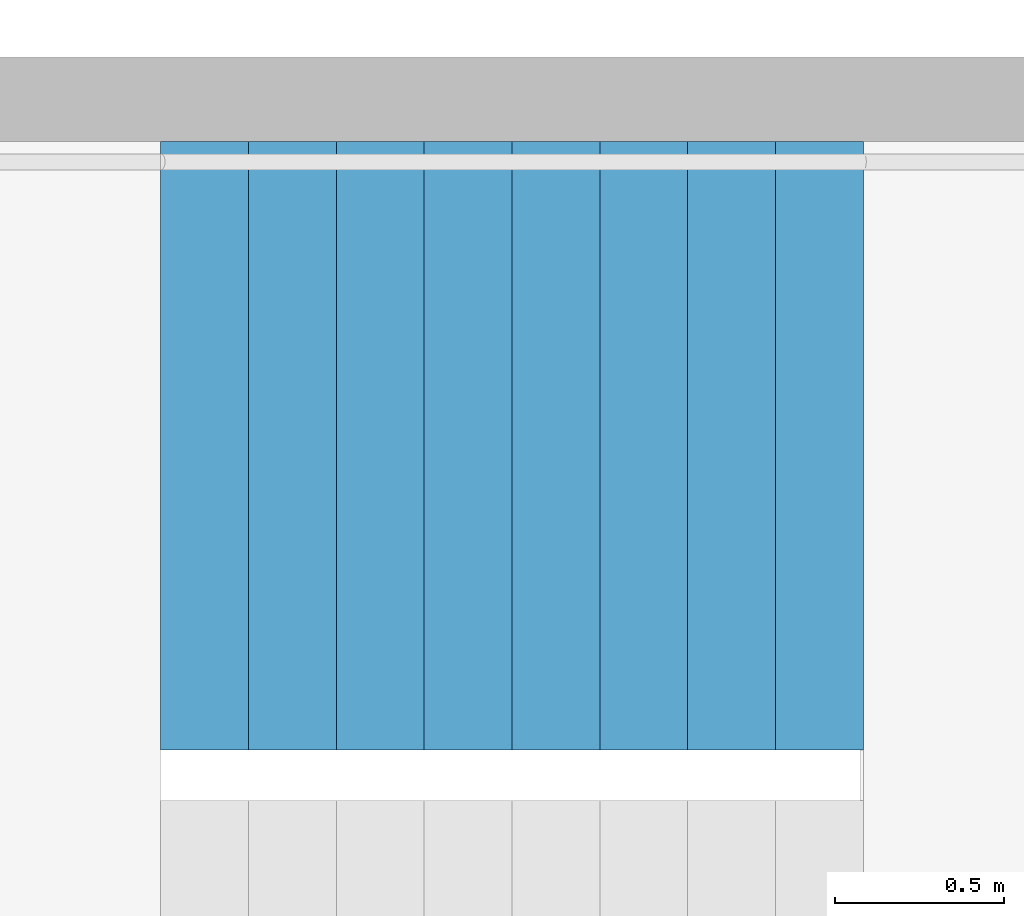
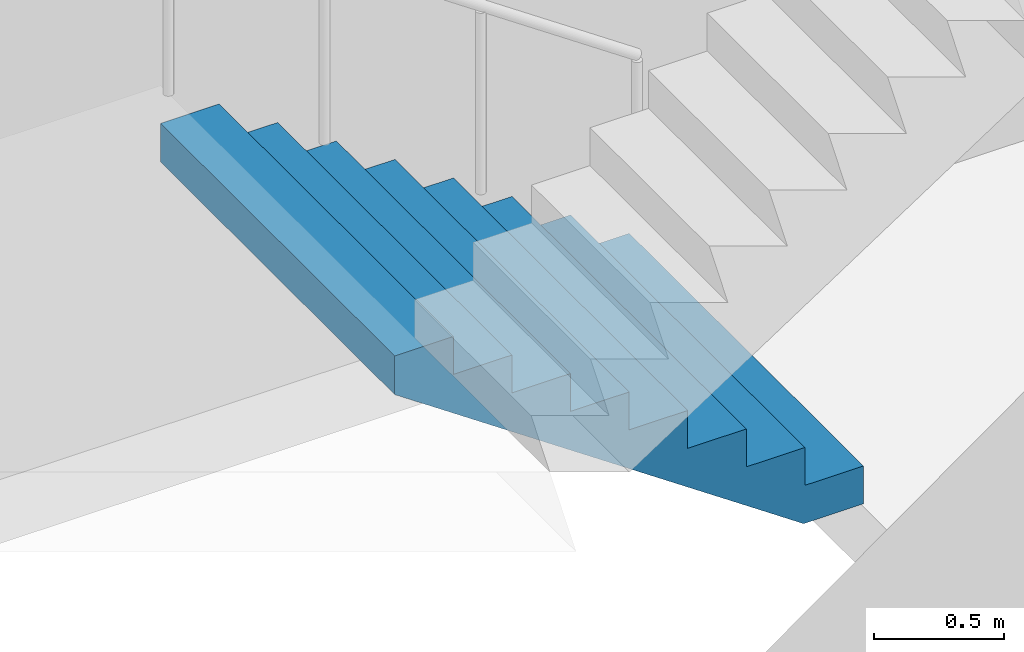
# One storey, part 19 of 43: 1 stair flight, 1 element without a shape of its own.
"""IFC4 building model written with IfcOpenShell, lengths in metres."""

from ifc_helpers import new_model, si_unit, direction, frame, origin, place, context, subcontext, project, spatial, triangles, material, type_object, element, aggregate, save


model = new_model("IFC4")

# Units and contexts
model_context = context("Model", 3, precision=1e-05, world=origin(), true_north=direction((0.0, 1.0)))
body_context = subcontext(model_context, "Body", "Model", "MODEL_VIEW")
ifc_project = project(units=[si_unit("LENGTHUNIT", "METRE"), si_unit("AREAUNIT", "SQUARE_METRE"), si_unit("VOLUMEUNIT", "CUBIC_METRE"), si_unit("PLANEANGLEUNIT", "RADIAN"), si_unit("MASSUNIT", "GRAM", prefix="KILO")], contexts=[model_context])

# Site, building, storey
site_placement = place(None, origin())
site = spatial("IfcSite", under=ifc_project, at=site_placement, CompositionType="ELEMENT")
building_placement = place(site_placement, origin())
building = spatial("IfcBuilding", under=site, at=building_placement, Name="Hakoniwa Tower and Hamabe Station Hall", CompositionType="ELEMENT")
storey_placement = place(building_placement, frame((0.0, 0.0, 124.60009765625)))
storey = spatial("IfcBuildingStorey", under=building, at=storey_placement, Name="L35", CompositionType="ELEMENT", Elevation=124.60009765625)

# Stair, stair flight
ifc_material_1 = material(Name="Concrete C40", Category="concrete")
stair_type = type_object("IfcStairType", Name="ESCAPE STAIR 1800", PredefinedType="HALF_TURN_STAIR", material=ifc_material_1)
stair_placement = place(storey_placement, origin())
stair = element("IfcStair", 1, at=stair_placement, inside=storey, type_object=stair_type, Name="Escape stair ST-2 L35", PredefinedType="HALF_TURN_STAIR")
ifc_material_2 = material(Name="Concrete C40", Category="concrete")
stair_flight_type = type_object("IfcStairFlightType", Name="STAIR FLIGHT 1800", PredefinedType="STRAIGHT", material=ifc_material_2)
stair_flight_placement = place(storey_placement, frame((-23.39990234375, -4.64990234375, 0.0), z_axis=(0.0, 0.0, 1.0), x_axis=(-1.0, 0.0, 0.0)))
stair_flight = element("IfcStairFlight", 2, at=stair_flight_placement, type_object=stair_flight_type, Name="ST-2 flight 1", NumberOfRisers=9, NumberOfTreads=8, PredefinedType="STRAIGHT", RiserHeight=0.177777778, TreadLength=0.26, context=body_context, shape_type="Tessellation", body=[
    triangles([(0.0, 0.89990234375, 0.0), (0.260009765625, 0.89990234375, 0.0), (0.265625, 0.89990234375, 0.0), (0.52001953125, 0.89990234375, 0.174072265625), (0.780029296875, 0.89990234375, 0.351806640625), (1.0400390625, 0.89990234375, 0.529541015625), (1.300048828125, 0.89990234375, 0.707275390625), (1.56005859375, 0.89990234375, 0.885009765625), (1.820068359375, 0.89990234375, 1.062744140625), (2.080078125, 0.89990234375, 1.24072265625), (2.080078125, 0.89990234375, 1.422119140625), (1.820068359375, 0.89990234375, 1.422119140625), (1.820068359375, 0.89990234375, 1.244384765625), (1.56005859375, 0.89990234375, 1.244384765625), (1.56005859375, 0.89990234375, 1.066650390625), (1.300048828125, 0.89990234375, 1.066650390625), (1.300048828125, 0.89990234375, 0.888916015625), (1.0400390625, 0.89990234375, 0.888916015625), (1.0400390625, 0.89990234375, 0.711181640625), (0.780029296875, 0.89990234375, 0.711181640625), (0.780029296875, 0.89990234375, 0.533447265625), (0.52001953125, 0.89990234375, 0.533447265625), (0.52001953125, 0.89990234375, 0.35546875), (0.265625, 0.89990234375, 0.35546875), (0.260009765625, 0.89990234375, 0.35546875), (0.260009765625, 0.89990234375, 0.177734375), (0.0, 0.89990234375, 0.177734375), (0.0, 0.06005859375, 0.0), (0.260009765625, 0.06005859375, 0.0), (0.265625, 0.06005859375, 0.0), (0.52001953125, 0.06005859375, 0.174072265625), (0.780029296875, 0.06005859375, 0.351806640625), (1.0400390625, 0.06005859375, 0.529541015625), (1.300048828125, 0.06005859375, 0.707275390625), (1.56005859375, 0.06005859375, 0.885009765625), (1.820068359375, 0.06005859375, 1.062744140625), (2.080078125, 0.06005859375, 1.24072265625), (2.080078125, 0.06005859375, 1.422119140625), (1.820068359375, 0.06005859375, 1.422119140625), (1.820068359375, 0.06005859375, 1.244384765625), (1.56005859375, 0.06005859375, 1.244384765625), (1.56005859375, 0.06005859375, 1.066650390625), (1.300048828125, 0.06005859375, 1.066650390625), (1.300048828125, 0.06005859375, 0.888916015625), (1.0400390625, 0.06005859375, 0.888916015625), (1.0400390625, 0.06005859375, 0.711181640625), (0.780029296875, 0.06005859375, 0.711181640625), (0.780029296875, 0.06005859375, 0.533447265625), (0.52001953125, 0.06005859375, 0.533447265625), (0.52001953125, 0.06005859375, 0.35546875), (0.265625, 0.06005859375, 0.35546875), (0.260009765625, 0.06005859375, 0.35546875), (0.260009765625, 0.06005859375, 0.177734375), (0.0, 0.06005859375, 0.177734375), (0.0, 0.04296875, 0.0), (0.260009765625, 0.04296875, 0.0), (0.265625, 0.04296875, 0.0), (0.52001953125, 0.04296875, 0.174072265625), (0.780029296875, 0.04296875, 0.351806640625), (1.0400390625, 0.04296875, 0.529541015625), (1.300048828125, 0.04296875, 0.707275390625), (1.56005859375, 0.04296875, 0.885009765625), (1.820068359375, 0.04296875, 1.062744140625), (2.080078125, 0.04296875, 1.24072265625), (2.080078125, 0.04296875, 1.422119140625), (1.820068359375, 0.04296875, 1.422119140625), (1.820068359375, 0.04296875, 1.244384765625), (1.56005859375, 0.04296875, 1.244384765625), (1.56005859375, 0.04296875, 1.066650390625), (1.300048828125, 0.04296875, 1.066650390625), (1.300048828125, 0.04296875, 0.888916015625), (1.0400390625, 0.04296875, 0.888916015625), (1.0400390625, 0.04296875, 0.711181640625), (0.780029296875, 0.04296875, 0.711181640625), (0.780029296875, 0.04296875, 0.533447265625), (0.52001953125, 0.04296875, 0.533447265625), (0.52001953125, 0.04296875, 0.35546875), (0.265625, 0.04296875, 0.35546875), (0.260009765625, 0.04296875, 0.35546875), (0.260009765625, 0.04296875, 0.177734375), (0.0, 0.04296875, 0.177734375), (0.0, 0.025634765625, 0.0), (0.260009765625, 0.025634765625, 0.0), (0.265625, 0.025634765625, 0.0), (0.52001953125, 0.025634765625, 0.174072265625), (0.780029296875, 0.025634765625, 0.351806640625), (1.0400390625, 0.025634765625, 0.529541015625), (1.300048828125, 0.025634765625, 0.707275390625), (1.56005859375, 0.025634765625, 0.885009765625), (1.820068359375, 0.025634765625, 1.062744140625), (2.080078125, 0.025634765625, 1.24072265625), (2.080078125, 0.025634765625, 1.422119140625), (1.820068359375, 0.025634765625, 1.422119140625), (1.820068359375, 0.025634765625, 1.244384765625), (1.56005859375, 0.025634765625, 1.244384765625), (1.56005859375, 0.025634765625, 1.066650390625), (1.300048828125, 0.025634765625, 1.066650390625), (1.300048828125, 0.025634765625, 0.888916015625), (1.0400390625, 0.025634765625, 0.888916015625), (1.0400390625, 0.025634765625, 0.711181640625), (0.780029296875, 0.025634765625, 0.711181640625), (0.780029296875, 0.025634765625, 0.533447265625), (0.52001953125, 0.025634765625, 0.533447265625), (0.52001953125, 0.025634765625, 0.35546875), (0.265625, 0.025634765625, 0.35546875), (0.260009765625, 0.025634765625, 0.35546875), (0.260009765625, 0.025634765625, 0.177734375), (0.0, 0.025634765625, 0.177734375), (0.0, 0.008544921875, 0.0), (0.260009765625, 0.008544921875, 0.0), (0.265625, 0.008544921875, 0.0), (0.52001953125, 0.008544921875, 0.174072265625), (0.780029296875, 0.008544921875, 0.351806640625), (1.0400390625, 0.008544921875, 0.529541015625), (1.300048828125, 0.008544921875, 0.707275390625), (1.56005859375, 0.008544921875, 0.885009765625), (1.820068359375, 0.008544921875, 1.062744140625), (2.080078125, 0.008544921875, 1.24072265625), (2.080078125, 0.008544921875, 1.422119140625), (1.820068359375, 0.008544921875, 1.422119140625), (1.820068359375, 0.008544921875, 1.244384765625), (1.56005859375, 0.008544921875, 1.244384765625), (1.56005859375, 0.008544921875, 1.066650390625), (1.300048828125, 0.008544921875, 1.066650390625), (1.300048828125, 0.008544921875, 0.888916015625), (1.0400390625, 0.008544921875, 0.888916015625), (1.0400390625, 0.008544921875, 0.711181640625), (0.780029296875, 0.008544921875, 0.711181640625), (0.780029296875, 0.008544921875, 0.533447265625), (0.52001953125, 0.008544921875, 0.533447265625), (0.52001953125, 0.008544921875, 0.35546875), (0.265625, 0.008544921875, 0.35546875), (0.260009765625, 0.008544921875, 0.35546875), (0.260009765625, 0.008544921875, 0.177734375), (0.0, 0.008544921875, 0.177734375), (0.0, -0.008544921875, 0.0), (0.260009765625, -0.008544921875, 0.0), (0.265625, -0.008544921875, 0.0), (0.52001953125, -0.008544921875, 0.174072265625), (0.780029296875, -0.008544921875, 0.351806640625), (1.0400390625, -0.008544921875, 0.529541015625), (1.300048828125, -0.008544921875, 0.707275390625), (1.56005859375, -0.008544921875, 0.885009765625), (1.820068359375, -0.008544921875, 1.062744140625), (2.080078125, -0.008544921875, 1.24072265625), (2.080078125, -0.008544921875, 1.422119140625), (1.820068359375, -0.008544921875, 1.422119140625), (1.820068359375, -0.008544921875, 1.244384765625), (1.56005859375, -0.008544921875, 1.244384765625), (1.56005859375, -0.008544921875, 1.066650390625), (1.300048828125, -0.008544921875, 1.066650390625), (1.300048828125, -0.008544921875, 0.888916015625), (1.0400390625, -0.008544921875, 0.888916015625), (1.0400390625, -0.008544921875, 0.711181640625), (0.780029296875, -0.008544921875, 0.711181640625), (0.780029296875, -0.008544921875, 0.533447265625), (0.52001953125, -0.008544921875, 0.533447265625), (0.52001953125, -0.008544921875, 0.35546875), (0.265625, -0.008544921875, 0.35546875), (0.260009765625, -0.008544921875, 0.35546875), (0.260009765625, -0.008544921875, 0.177734375), (0.0, -0.008544921875, 0.177734375), (0.0, -0.025634765625, 0.0), (0.260009765625, -0.025634765625, 0.0), (0.265625, -0.025634765625, 0.0), (0.52001953125, -0.025634765625, 0.174072265625), (0.780029296875, -0.025634765625, 0.351806640625), (1.0400390625, -0.025634765625, 0.529541015625), (1.300048828125, -0.025634765625, 0.707275390625), (1.56005859375, -0.025634765625, 0.885009765625), (1.820068359375, -0.025634765625, 1.062744140625), (2.080078125, -0.025634765625, 1.24072265625), (2.080078125, -0.025634765625, 1.422119140625), (1.820068359375, -0.025634765625, 1.422119140625), (1.820068359375, -0.025634765625, 1.244384765625), (1.56005859375, -0.025634765625, 1.244384765625), (1.56005859375, -0.025634765625, 1.066650390625), (1.300048828125, -0.025634765625, 1.066650390625), (1.300048828125, -0.025634765625, 0.888916015625), (1.0400390625, -0.025634765625, 0.888916015625), (1.0400390625, -0.025634765625, 0.711181640625), (0.780029296875, -0.025634765625, 0.711181640625), (0.780029296875, -0.025634765625, 0.533447265625), (0.52001953125, -0.025634765625, 0.533447265625), (0.52001953125, -0.025634765625, 0.35546875), (0.265625, -0.025634765625, 0.35546875), (0.260009765625, -0.025634765625, 0.35546875), (0.260009765625, -0.025634765625, 0.177734375), (0.0, -0.025634765625, 0.177734375), (0.0, -0.04296875, 0.0), (0.260009765625, -0.04296875, 0.0), (0.265625, -0.04296875, 0.0), (0.52001953125, -0.04296875, 0.174072265625), (0.780029296875, -0.04296875, 0.351806640625), (1.0400390625, -0.04296875, 0.529541015625), (1.300048828125, -0.04296875, 0.707275390625), (1.56005859375, -0.04296875, 0.885009765625), (1.820068359375, -0.04296875, 1.062744140625), (2.080078125, -0.04296875, 1.24072265625), (2.080078125, -0.04296875, 1.422119140625), (1.820068359375, -0.04296875, 1.422119140625), (1.820068359375, -0.04296875, 1.244384765625), (1.56005859375, -0.04296875, 1.244384765625), (1.56005859375, -0.04296875, 1.066650390625), (1.300048828125, -0.04296875, 1.066650390625), (1.300048828125, -0.04296875, 0.888916015625), (1.0400390625, -0.04296875, 0.888916015625), (1.0400390625, -0.04296875, 0.711181640625), (0.780029296875, -0.04296875, 0.711181640625), (0.780029296875, -0.04296875, 0.533447265625), (0.52001953125, -0.04296875, 0.533447265625), (0.52001953125, -0.04296875, 0.35546875), (0.265625, -0.04296875, 0.35546875), (0.260009765625, -0.04296875, 0.35546875), (0.260009765625, -0.04296875, 0.177734375), (0.0, -0.04296875, 0.177734375), (0.0, -0.06005859375, 0.0), (0.260009765625, -0.06005859375, 0.0), (0.265625, -0.06005859375, 0.0), (0.52001953125, -0.06005859375, 0.174072265625), (0.780029296875, -0.06005859375, 0.351806640625), (1.0400390625, -0.06005859375, 0.529541015625), (1.300048828125, -0.06005859375, 0.707275390625), (1.56005859375, -0.06005859375, 0.885009765625), (1.820068359375, -0.06005859375, 1.062744140625), (2.080078125, -0.06005859375, 1.24072265625), (2.080078125, -0.06005859375, 1.422119140625), (1.820068359375, -0.06005859375, 1.422119140625), (1.820068359375, -0.06005859375, 1.244384765625), (1.56005859375, -0.06005859375, 1.244384765625), (1.56005859375, -0.06005859375, 1.066650390625), (1.300048828125, -0.06005859375, 1.066650390625), (1.300048828125, -0.06005859375, 0.888916015625), (1.0400390625, -0.06005859375, 0.888916015625), (1.0400390625, -0.06005859375, 0.711181640625), (0.780029296875, -0.06005859375, 0.711181640625), (0.780029296875, -0.06005859375, 0.533447265625), (0.52001953125, -0.06005859375, 0.533447265625), (0.52001953125, -0.06005859375, 0.35546875), (0.265625, -0.06005859375, 0.35546875), (0.260009765625, -0.06005859375, 0.35546875), (0.260009765625, -0.06005859375, 0.177734375), (0.0, -0.06005859375, 0.177734375), (0.0, -0.89990234375, 0.0), (0.260009765625, -0.89990234375, 0.0), (0.265625, -0.89990234375, 0.0), (0.52001953125, -0.89990234375, 0.174072265625), (0.780029296875, -0.89990234375, 0.351806640625), (1.0400390625, -0.89990234375, 0.529541015625), (1.300048828125, -0.89990234375, 0.707275390625), (1.56005859375, -0.89990234375, 0.885009765625), (1.820068359375, -0.89990234375, 1.062744140625), (2.080078125, -0.89990234375, 1.24072265625), (2.080078125, -0.89990234375, 1.422119140625), (1.820068359375, -0.89990234375, 1.422119140625), (1.820068359375, -0.89990234375, 1.244384765625), (1.56005859375, -0.89990234375, 1.244384765625), (1.56005859375, -0.89990234375, 1.066650390625), (1.300048828125, -0.89990234375, 1.066650390625), (1.300048828125, -0.89990234375, 0.888916015625), (1.0400390625, -0.89990234375, 0.888916015625), (1.0400390625, -0.89990234375, 0.711181640625), (0.780029296875, -0.89990234375, 0.711181640625), (0.780029296875, -0.89990234375, 0.533447265625), (0.52001953125, -0.89990234375, 0.533447265625), (0.52001953125, -0.89990234375, 0.35546875), (0.265625, -0.89990234375, 0.35546875), (0.260009765625, -0.89990234375, 0.35546875), (0.260009765625, -0.89990234375, 0.177734375), (0.0, -0.89990234375, 0.177734375)], [[2, 27, 26], [245, 269, 270], [2, 1, 27], [245, 270, 244], [3, 25, 24], [246, 267, 268], [3, 26, 25], [246, 268, 269], [3, 2, 26], [246, 269, 245], [4, 24, 23], [247, 266, 267], [4, 3, 24], [247, 267, 246], [5, 22, 21], [248, 264, 265], [5, 23, 22], [248, 265, 266], [5, 4, 23], [248, 266, 247], [6, 20, 19], [249, 262, 263], [6, 21, 20], [249, 263, 264], [6, 5, 21], [249, 264, 248], [7, 18, 17], [250, 260, 261], [7, 19, 18], [250, 261, 262], [7, 6, 19], [250, 262, 249], [8, 16, 15], [251, 258, 259], [8, 17, 16], [251, 259, 260], [8, 7, 17], [251, 260, 250], [9, 14, 13], [252, 256, 257], [9, 15, 14], [252, 257, 258], [9, 8, 15], [252, 258, 251], [10, 12, 11], [253, 254, 255], [10, 13, 12], [253, 255, 256], [10, 9, 13], [253, 256, 252], [1, 2, 29], [1, 29, 28], [28, 29, 56], [28, 56, 55], [55, 56, 83], [55, 83, 82], [82, 83, 110], [82, 110, 109], [109, 110, 137], [109, 137, 136], [136, 137, 164], [136, 164, 163], [163, 164, 191], [163, 191, 190], [190, 191, 218], [190, 218, 217], [217, 218, 245], [217, 245, 244], [2, 3, 30], [2, 30, 29], [29, 30, 57], [29, 57, 56], [56, 57, 84], [56, 84, 83], [83, 84, 111], [83, 111, 110], [110, 111, 138], [110, 138, 137], [137, 138, 165], [137, 165, 164], [164, 165, 192], [164, 192, 191], [191, 192, 219], [191, 219, 218], [218, 219, 246], [218, 246, 245], [3, 4, 31], [3, 31, 30], [30, 31, 58], [30, 58, 57], [57, 58, 85], [57, 85, 84], [84, 85, 112], [84, 112, 111], [111, 112, 139], [111, 139, 138], [138, 139, 166], [138, 166, 165], [165, 166, 193], [165, 193, 192], [192, 193, 220], [192, 220, 219], [219, 220, 247], [219, 247, 246], [4, 5, 32], [4, 32, 31], [31, 32, 59], [31, 59, 58], [58, 59, 86], [58, 86, 85], [85, 86, 113], [85, 113, 112], [112, 113, 140], [112, 140, 139], [139, 140, 167], [139, 167, 166], [166, 167, 194], [166, 194, 193], [193, 194, 221], [193, 221, 220], [220, 221, 248], [220, 248, 247], [5, 6, 33], [5, 33, 32], [32, 33, 60], [32, 60, 59], [59, 60, 87], [59, 87, 86], [86, 87, 114], [86, 114, 113], [113, 114, 141], [113, 141, 140], [140, 141, 168], [140, 168, 167], [167, 168, 195], [167, 195, 194], [194, 195, 222], [194, 222, 221], [221, 222, 249], [221, 249, 248], [6, 7, 34], [6, 34, 33], [33, 34, 61], [33, 61, 60], [60, 61, 88], [60, 88, 87], [87, 88, 115], [87, 115, 114], [114, 115, 142], [114, 142, 141], [141, 142, 169], [141, 169, 168], [168, 169, 196], [168, 196, 195], [195, 196, 223], [195, 223, 222], [222, 223, 250], [222, 250, 249], [7, 8, 35], [7, 35, 34], [34, 35, 62], [34, 62, 61], [61, 62, 89], [61, 89, 88], [88, 89, 116], [88, 116, 115], [115, 116, 143], [115, 143, 142], [142, 143, 170], [142, 170, 169], [169, 170, 197], [169, 197, 196], [196, 197, 224], [196, 224, 223], [223, 224, 251], [223, 251, 250], [8, 9, 36], [8, 36, 35], [35, 36, 63], [35, 63, 62], [62, 63, 90], [62, 90, 89], [89, 90, 117], [89, 117, 116], [116, 117, 144], [116, 144, 143], [143, 144, 171], [143, 171, 170], [170, 171, 198], [170, 198, 197], [197, 198, 225], [197, 225, 224], [224, 225, 252], [224, 252, 251], [9, 10, 37], [9, 37, 36], [36, 37, 64], [36, 64, 63], [63, 64, 91], [63, 91, 90], [90, 91, 118], [90, 118, 117], [117, 118, 145], [117, 145, 144], [144, 145, 172], [144, 172, 171], [171, 172, 199], [171, 199, 198], [198, 199, 226], [198, 226, 225], [225, 226, 253], [225, 253, 252], [10, 11, 38], [10, 38, 37], [37, 38, 65], [37, 65, 64], [64, 65, 92], [64, 92, 91], [91, 92, 119], [91, 119, 118], [118, 119, 146], [118, 146, 145], [145, 146, 173], [145, 173, 172], [172, 173, 200], [172, 200, 199], [199, 200, 227], [199, 227, 226], [226, 227, 254], [226, 254, 253], [11, 12, 39], [11, 39, 38], [38, 39, 66], [38, 66, 65], [65, 66, 93], [65, 93, 92], [92, 93, 120], [92, 120, 119], [119, 120, 147], [119, 147, 146], [146, 147, 174], [146, 174, 173], [173, 174, 201], [173, 201, 200], [200, 201, 228], [200, 228, 227], [227, 228, 255], [227, 255, 254], [12, 13, 40], [12, 40, 39], [39, 40, 67], [39, 67, 66], [66, 67, 94], [66, 94, 93], [93, 94, 121], [93, 121, 120], [120, 121, 148], [120, 148, 147], [147, 148, 175], [147, 175, 174], [174, 175, 202], [174, 202, 201], [201, 202, 229], [201, 229, 228], [228, 229, 256], [228, 256, 255], [13, 14, 41], [13, 41, 40], [40, 41, 68], [40, 68, 67], [67, 68, 95], [67, 95, 94], [94, 95, 122], [94, 122, 121], [121, 122, 149], [121, 149, 148], [148, 149, 176], [148, 176, 175], [175, 176, 203], [175, 203, 202], [202, 203, 230], [202, 230, 229], [229, 230, 257], [229, 257, 256], [14, 15, 42], [14, 42, 41], [41, 42, 69], [41, 69, 68], [68, 69, 96], [68, 96, 95], [95, 96, 123], [95, 123, 122], [122, 123, 150], [122, 150, 149], [149, 150, 177], [149, 177, 176], [176, 177, 204], [176, 204, 203], [203, 204, 231], [203, 231, 230], [230, 231, 258], [230, 258, 257], [15, 16, 43], [15, 43, 42], [42, 43, 70], [42, 70, 69], [69, 70, 97], [69, 97, 96], [96, 97, 124], [96, 124, 123], [123, 124, 151], [123, 151, 150], [150, 151, 178], [150, 178, 177], [177, 178, 205], [177, 205, 204], [204, 205, 232], [204, 232, 231], [231, 232, 259], [231, 259, 258], [16, 17, 44], [16, 44, 43], [43, 44, 71], [43, 71, 70], [70, 71, 98], [70, 98, 97], [97, 98, 125], [97, 125, 124], [124, 125, 152], [124, 152, 151], [151, 152, 179], [151, 179, 178], [178, 179, 206], [178, 206, 205], [205, 206, 233], [205, 233, 232], [232, 233, 260], [232, 260, 259], [17, 18, 45], [17, 45, 44], [44, 45, 72], [44, 72, 71], [71, 72, 99], [71, 99, 98], [98, 99, 126], [98, 126, 125], [125, 126, 153], [125, 153, 152], [152, 153, 180], [152, 180, 179], [179, 180, 207], [179, 207, 206], [206, 207, 234], [206, 234, 233], [233, 234, 261], [233, 261, 260], [18, 19, 46], [18, 46, 45], [45, 46, 73], [45, 73, 72], [72, 73, 100], [72, 100, 99], [99, 100, 127], [99, 127, 126], [126, 127, 154], [126, 154, 153], [153, 154, 181], [153, 181, 180], [180, 181, 208], [180, 208, 207], [207, 208, 235], [207, 235, 234], [234, 235, 262], [234, 262, 261], [19, 20, 47], [19, 47, 46], [46, 47, 74], [46, 74, 73], [73, 74, 101], [73, 101, 100], [100, 101, 128], [100, 128, 127], [127, 128, 155], [127, 155, 154], [154, 155, 182], [154, 182, 181], [181, 182, 209], [181, 209, 208], [208, 209, 236], [208, 236, 235], [235, 236, 263], [235, 263, 262], [20, 21, 48], [20, 48, 47], [47, 48, 75], [47, 75, 74], [74, 75, 102], [74, 102, 101], [101, 102, 129], [101, 129, 128], [128, 129, 156], [128, 156, 155], [155, 156, 183], [155, 183, 182], [182, 183, 210], [182, 210, 209], [209, 210, 237], [209, 237, 236], [236, 237, 264], [236, 264, 263], [21, 22, 49], [21, 49, 48], [48, 49, 76], [48, 76, 75], [75, 76, 103], [75, 103, 102], [102, 103, 130], [102, 130, 129], [129, 130, 157], [129, 157, 156], [156, 157, 184], [156, 184, 183], [183, 184, 211], [183, 211, 210], [210, 211, 238], [210, 238, 237], [237, 238, 265], [237, 265, 264], [22, 23, 50], [22, 50, 49], [49, 50, 77], [49, 77, 76], [76, 77, 104], [76, 104, 103], [103, 104, 131], [103, 131, 130], [130, 131, 158], [130, 158, 157], [157, 158, 185], [157, 185, 184], [184, 185, 212], [184, 212, 211], [211, 212, 239], [211, 239, 238], [238, 239, 266], [238, 266, 265], [23, 24, 51], [23, 51, 50], [50, 51, 78], [50, 78, 77], [77, 78, 105], [77, 105, 104], [104, 105, 132], [104, 132, 131], [131, 132, 159], [131, 159, 158], [158, 159, 186], [158, 186, 185], [185, 186, 213], [185, 213, 212], [212, 213, 240], [212, 240, 239], [239, 240, 267], [239, 267, 266], [24, 25, 52], [24, 52, 51], [51, 52, 79], [51, 79, 78], [78, 79, 106], [78, 106, 105], [105, 106, 133], [105, 133, 132], [132, 133, 160], [132, 160, 159], [159, 160, 187], [159, 187, 186], [186, 187, 214], [186, 214, 213], [213, 214, 241], [213, 241, 240], [240, 241, 268], [240, 268, 267], [25, 26, 53], [25, 53, 52], [52, 53, 80], [52, 80, 79], [79, 80, 107], [79, 107, 106], [106, 107, 134], [106, 134, 133], [133, 134, 161], [133, 161, 160], [160, 161, 188], [160, 188, 187], [187, 188, 215], [187, 215, 214], [214, 215, 242], [214, 242, 241], [241, 242, 269], [241, 269, 268], [26, 27, 54], [26, 54, 53], [53, 54, 81], [53, 81, 80], [80, 81, 108], [80, 108, 107], [107, 108, 135], [107, 135, 134], [134, 135, 162], [134, 162, 161], [161, 162, 189], [161, 189, 188], [188, 189, 216], [188, 216, 215], [215, 216, 243], [215, 243, 242], [242, 243, 270], [242, 270, 269], [27, 1, 28], [27, 28, 54], [54, 28, 55], [54, 55, 81], [81, 55, 82], [81, 82, 108], [108, 82, 109], [108, 109, 135], [135, 109, 136], [135, 136, 162], [162, 136, 163], [162, 163, 189], [189, 163, 190], [189, 190, 216], [216, 190, 217], [216, 217, 243], [243, 217, 244], [243, 244, 270]], closed=True),
])
aggregate(stair, [stair_flight])

save(model, "model.ifc")
